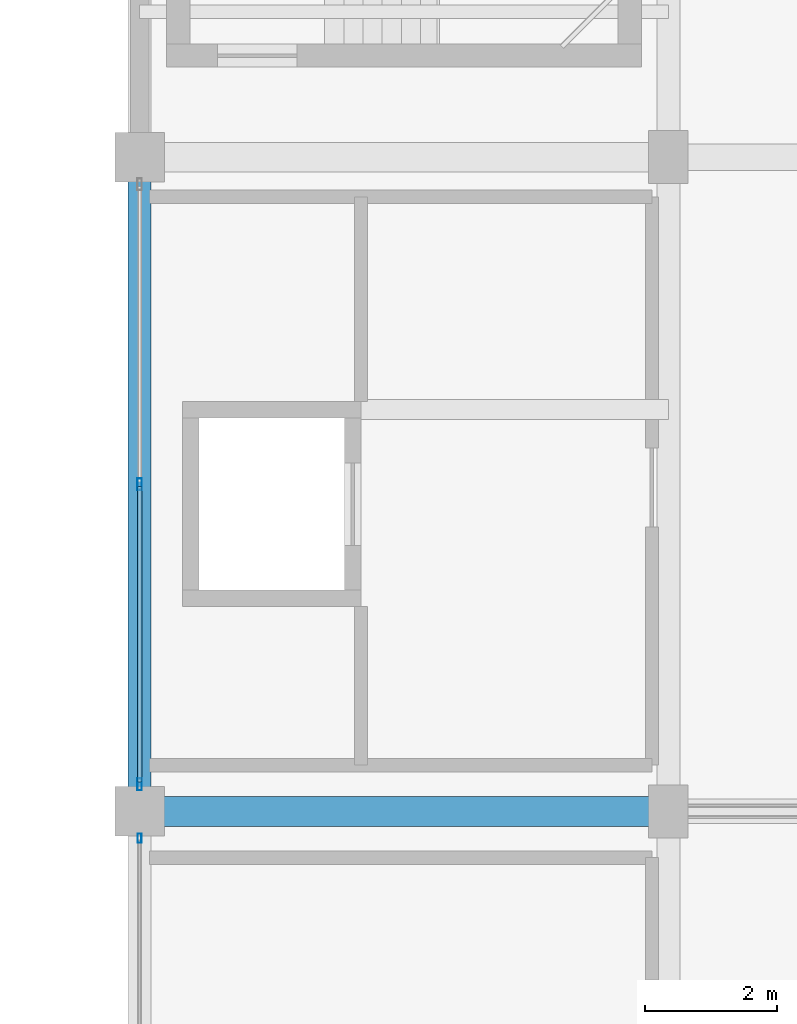
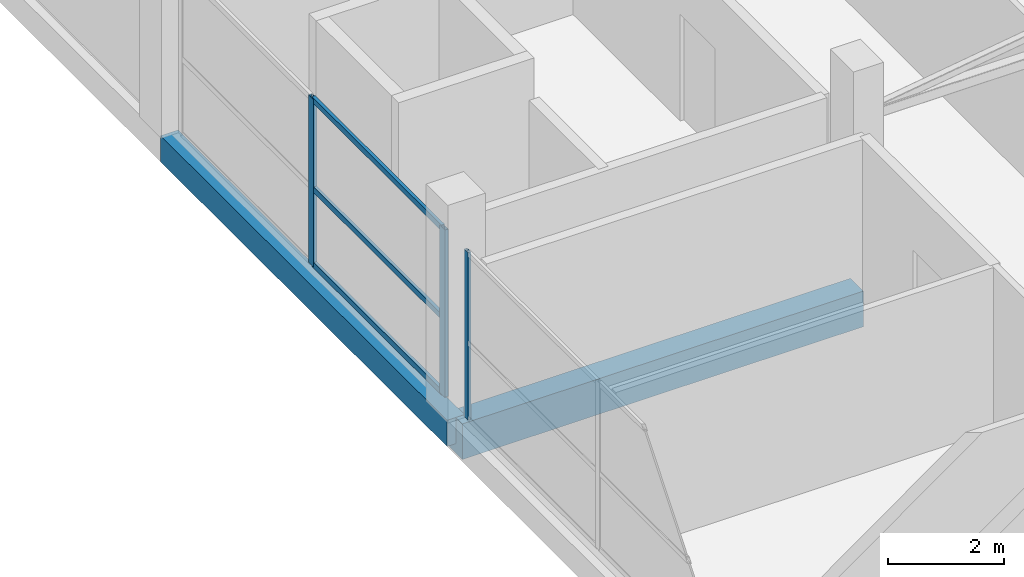
# One storey, part 22 of 55: 6 members, 2 beams, 2 elements without a shape of their own.
"""IFC4 building model written with IfcOpenShell, lengths in metres."""

from ifc_helpers import new_model, si_unit, direction, frame, origin, origin_2d, place, context, subcontext, project, spatial, rectangle, hollow_rectangle, extrude, material, layer, layer_set, material_profile, profile_set, type_object, element, aggregate, save


model = new_model("IFC4")

# Units and contexts
model_context = context("Model", 3, precision=1e-05, world=origin(), true_north=direction((0.0, 1.0)))
body_context = subcontext(model_context, "Body", "Model", "MODEL_VIEW")
ifc_project = project(units=[si_unit("LENGTHUNIT", "METRE"), si_unit("AREAUNIT", "SQUARE_METRE"), si_unit("VOLUMEUNIT", "CUBIC_METRE"), si_unit("PLANEANGLEUNIT", "RADIAN"), si_unit("MASSUNIT", "GRAM", prefix="KILO")], contexts=[model_context])

# Site, building, storey
site_placement = place(None, origin())
site = spatial("IfcSite", under=ifc_project, at=site_placement, CompositionType="ELEMENT")
building_placement = place(site_placement, origin())
building = spatial("IfcBuilding", under=site, at=building_placement, Name="Sillaruma Civic Art Gallery", CompositionType="ELEMENT")
storey_placement = place(building_placement, frame((0.0, 0.0, 37.739990234375)))
storey = spatial("IfcBuildingStorey", under=building, at=storey_placement, Name="L07", CompositionType="ELEMENT", Elevation=37.739990234375)

# Beams
ifc_material_1 = material(Name="Concrete H40 (40 MPa)", Category="concrete")
ifc_material_profile_1 = material_profile(ifc_material_1, rectangle(XDim=0.449951171875, YDim=0.75, at=origin_2d()), Name="RCB450x750")
ifc_profile_set_1 = profile_set([ifc_material_profile_1], Name="Concrete H40 (40 MPa)")
beam_type_1 = type_object("IfcBeamType", Name="BM-BEAM-RCB450x750", PredefinedType="BEAM", material=ifc_profile_set_1)
beam_1_placement = place(storey_placement, frame((62.0, 69.300048828125, -0.614990234375), z_axis=(1.0, 0.0, 0.0), x_axis=(0.0, 1.0, 0.0)))
element("IfcBeam", 1, at=beam_1_placement, inside=storey, type_object=beam_type_1, Name="Beam BM-03 (L06:8:F-G)", PredefinedType="BEAM", context=body_context, shape_type="SweptSolid", body=[
    extrude(rectangle(XDim=0.449951171875, YDim=0.75, at=origin_2d()), origin(), (0.0, 0.0, 1.0), 8.0),
])
ifc_material_2 = material(Name="Concrete H35 (35 MPa)", Category="concrete")
ifc_material_profile_2 = material_profile(ifc_material_2, rectangle(XDim=0.35009765625, YDim=0.550048828125, at=origin_2d()), Name="RCB350x550")
ifc_profile_set_2 = profile_set([ifc_material_profile_2], Name="Concrete H35 (35 MPa)")
beam_type_2 = type_object("IfcBeamType", Name="BM-SPANDREL-RCB350x550", PredefinedType="SPANDREL", material=ifc_profile_set_2)
beam_2_placement = place(storey_placement, frame((62.0, 69.300048828125, -0.514892578125), z_axis=(0.0, 1.0, 0.0), x_axis=(-1.0, 0.0, 0.0)))
element("IfcBeam", 2, at=beam_2_placement, inside=storey, type_object=beam_type_2, Name="Beam BS-04 (L06:F:8-9)", PredefinedType="SPANDREL", context=body_context, shape_type="SweptSolid", body=[
    extrude(rectangle(XDim=0.35009765625, YDim=0.550048828125, at=origin_2d()), origin(), (0.0, 0.0, 1.0), 9.89990234375),
])

# Curtain wall, member
ifc_material_3 = material(Name="Thermally Broken Extruded Aluminium 6063-T6", Category="aluminium")
ifc_layer_1 = layer(ifc_material_3, 0.139892578125, Name="Thermally Broken Extruded Aluminium 6063-T6")
ifc_layer_set_1 = layer_set([ifc_layer_1], Name="Thermally Broken Extruded Aluminium 6063-T6")
curtain_wall_type_1 = type_object("IfcCurtainWallType", Name="CW-UNI-48", PredefinedType="NOTDEFINED", material=ifc_layer_set_1)
curtain_wall_1_placement = place(storey_placement, origin())
curtain_wall_1 = element("IfcCurtainWall", 3, at=curtain_wall_1_placement, inside=storey, type_object=curtain_wall_type_1, Name="Unitised Curtain Wall CW-48 (CW-L07-W-5)", PredefinedType="NOTDEFINED")
ifc_material_profile_3 = material_profile(ifc_material_3, hollow_rectangle(XDim=0.06005859375, YDim=0.139892578125, WallThickness=0.00341796875, at=origin_2d()), Name="CWM60x140")
ifc_profile_set_3 = profile_set([ifc_material_profile_3], Name="Thermally Broken Extruded Aluminium 6063-T6")
member_type_1 = type_object("IfcMemberType", Name="MEM-MUL-CWM60x140", PredefinedType="MULLION", material=ifc_profile_set_3)
member_1_placement = place(storey_placement, frame((62.0, 68.89501953125, 0.0), z_axis=(0.0, 0.0, 1.0), x_axis=(-1.0, 0.0, 0.0)))
member_1 = element("IfcMember", 4, at=member_1_placement, type_object=member_type_1, Name="CW-48 mullion 3", PredefinedType="MULLION", context=body_context, shape_type="SweptSolid", body=[
    extrude(hollow_rectangle(XDim=0.06005859375, YDim=0.139892578125, WallThickness=0.00341796875, at=origin_2d()), origin(), (0.0, 0.0, 1.0), 3.530029296875),
])
aggregate(curtain_wall_1, [member_1])

# Curtain wall, members
ifc_layer_2 = layer(ifc_material_3, 0.179931640625, Name="Thermally Broken Extruded Aluminium 6063-T6")
ifc_layer_set_2 = layer_set([ifc_layer_2], Name="Thermally Broken Extruded Aluminium 6063-T6")
curtain_wall_type_2 = type_object("IfcCurtainWallType", Name="CW-UNI-45", PredefinedType="NOTDEFINED", material=ifc_layer_set_2)
curtain_wall_2_placement = place(storey_placement, origin())
curtain_wall_2 = element("IfcCurtainWall", 5, at=curtain_wall_2_placement, inside=storey, type_object=curtain_wall_type_2, Name="Unitised Curtain Wall CW-45 (CW-L07-W-6)", PredefinedType="NOTDEFINED")
ifc_material_profile_4 = material_profile(ifc_material_3, hollow_rectangle(XDim=0.070068359375, YDim=0.179931640625, WallThickness=0.00390625, at=origin_2d()), Name="CWM70x180")
ifc_profile_set_4 = profile_set([ifc_material_profile_4], Name="Thermally Broken Extruded Aluminium 6063-T6")
member_type_2 = type_object("IfcMemberType", Name="MEM-MUL-CWM70x180", PredefinedType="MULLION", material=ifc_profile_set_4)
member_2_placement = place(storey_placement, frame((62.0, 69.7099609375, 0.0), z_axis=(0.0, 0.0, 1.0), x_axis=(-1.0, 0.0, 0.0)))
member_2 = element("IfcMember", 6, at=member_2_placement, type_object=member_type_2, Name="CW-45 mullion 1", PredefinedType="MULLION", context=body_context, shape_type="SweptSolid", body=[
    extrude(hollow_rectangle(XDim=0.070068359375, YDim=0.179931640625, WallThickness=0.00390625, at=origin_2d()), origin(), (0.0, 0.0, 1.0), 3.530029296875),
])
member_3_placement = place(storey_placement, frame((62.0, 74.25, 0.0), z_axis=(0.0, 0.0, 1.0), x_axis=(-1.0, 0.0, 0.0)))
member_3 = element("IfcMember", 7, at=member_3_placement, type_object=member_type_2, Name="CW-45 mullion 2", PredefinedType="MULLION", context=body_context, shape_type="SweptSolid", body=[
    extrude(hollow_rectangle(XDim=0.070068359375, YDim=0.179931640625, WallThickness=0.00390625, at=origin_2d()), origin(), (0.0, 0.0, 1.0), 3.530029296875),
])
ifc_material_profile_5 = material_profile(ifc_material_3, hollow_rectangle(XDim=0.06494140625, YDim=0.1201171875, WallThickness=0.00341796875, at=origin_2d()), Name="CWT65x120")
ifc_profile_set_5 = profile_set([ifc_material_profile_5], Name="Thermally Broken Extruded Aluminium 6063-T6")
member_type_3 = type_object("IfcMemberType", Name="MEM-TRN-CWT65x120", PredefinedType="USERDEFINED", material=ifc_profile_set_5)
member_4_placement = place(storey_placement, frame((62.0, 69.7451171875, 0.032470703125), z_axis=(0.0, 1.0, 0.0), x_axis=(-1.0, 0.0, 0.0)))
member_4 = element("IfcMember", 8, at=member_4_placement, type_object=member_type_3, Name="CW-45 transom 1.1", ObjectType="TRANSOM", PredefinedType="USERDEFINED", context=body_context, shape_type="SweptSolid", body=[
    extrude(hollow_rectangle(XDim=0.06494140625, YDim=0.1201171875, WallThickness=0.00341796875, at=origin_2d()), origin(), (0.0, 0.0, 1.0), 4.469970703125),
])
member_5_placement = place(storey_placement, frame((62.0, 69.7451171875, 1.623779296875), z_axis=(0.0, 1.0, 0.0), x_axis=(-1.0, 0.0, 0.0)))
member_5 = element("IfcMember", 9, at=member_5_placement, type_object=member_type_3, Name="CW-45 transom 1.2", ObjectType="TRANSOM", PredefinedType="USERDEFINED", context=body_context, shape_type="SweptSolid", body=[
    extrude(hollow_rectangle(XDim=0.06494140625, YDim=0.1201171875, WallThickness=0.00341796875, at=origin_2d()), origin(), (0.0, 0.0, 1.0), 4.469970703125),
])
member_6_placement = place(storey_placement, frame((62.0, 69.7451171875, 3.49755859375), z_axis=(0.0, 1.0, 0.0), x_axis=(-1.0, 0.0, 0.0)))
member_6 = element("IfcMember", 10, at=member_6_placement, type_object=member_type_3, Name="CW-45 transom 1.3", ObjectType="TRANSOM", PredefinedType="USERDEFINED", context=body_context, shape_type="SweptSolid", body=[
    extrude(hollow_rectangle(XDim=0.06494140625, YDim=0.1201171875, WallThickness=0.00341796875, at=origin_2d()), origin(), (0.0, 0.0, 1.0), 4.469970703125),
])
aggregate(curtain_wall_2, [member_2, member_3, member_4, member_5, member_6])

save(model, "model.ifc")
